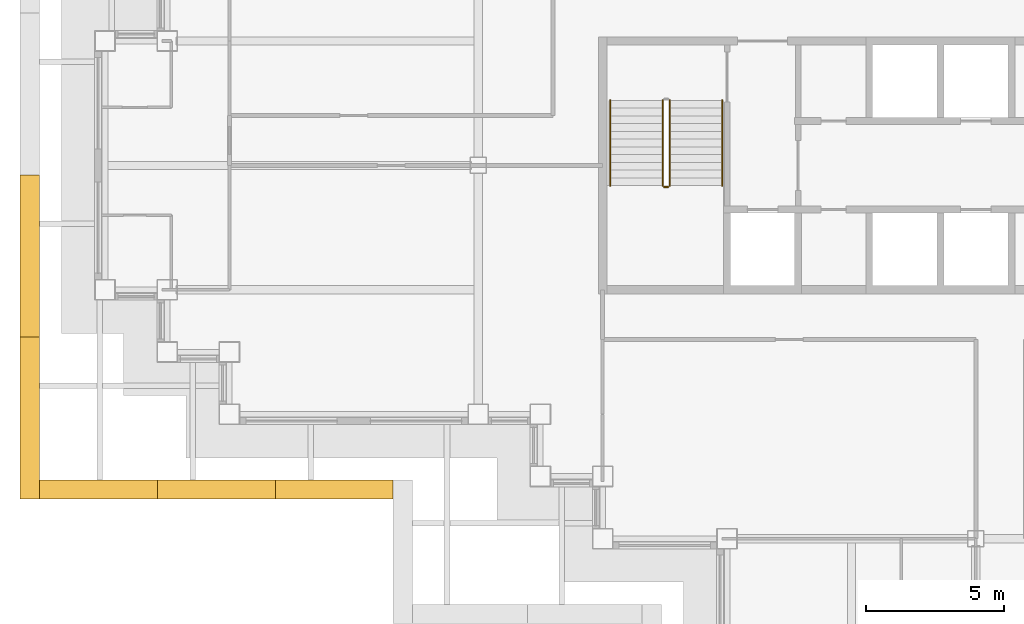
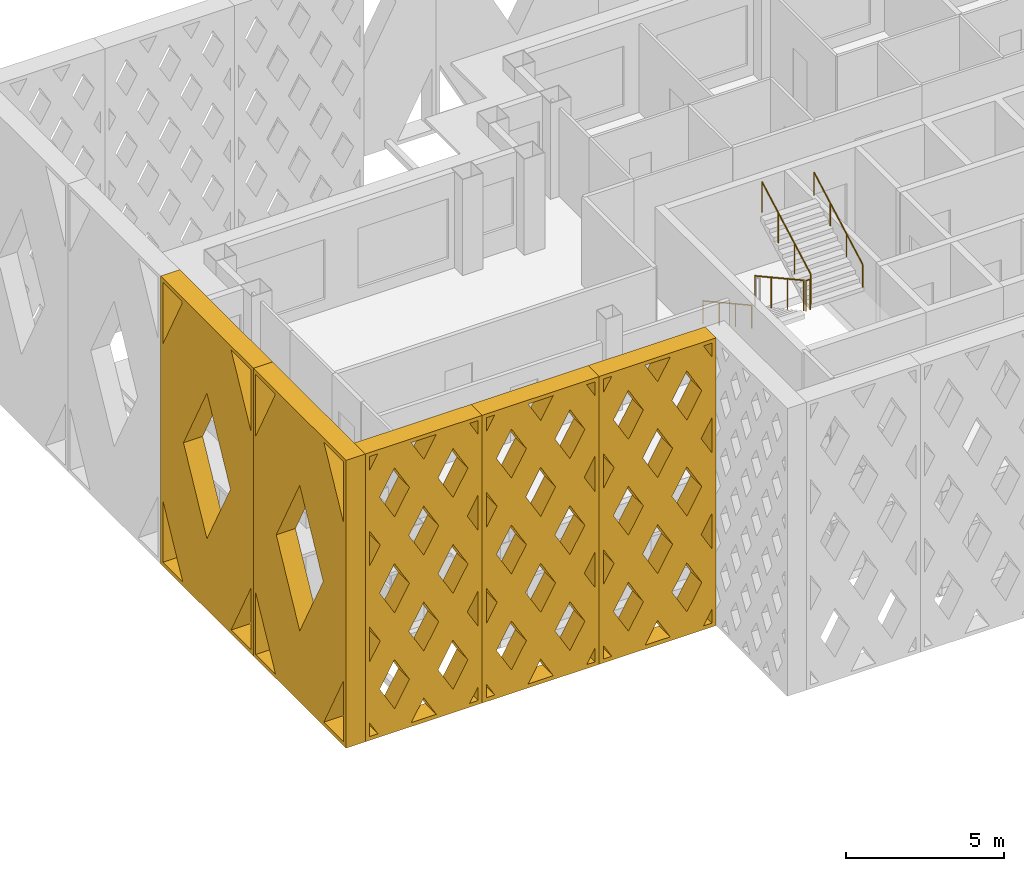
# One storey, part 14 of 18: 5 railings, 5 shading devices.
"""IFC4 building model written with IfcOpenShell, lengths in metres."""

from ifc_helpers import new_model, si_unit, direction, frame, origin, origin_2d, place, context, subcontext, project, spatial, polyline, circle, outline, extrude, material, type_object, element, save


model = new_model("IFC4")

# Units and contexts
model_context = context("Model", 3, precision=1e-05, world=origin(), true_north=direction((0.0, 1.0)))
body_context = subcontext(model_context, "Body", "Model", "MODEL_VIEW")
ifc_project = project(units=[si_unit("LENGTHUNIT", "METRE"), si_unit("AREAUNIT", "SQUARE_METRE"), si_unit("VOLUMEUNIT", "CUBIC_METRE"), si_unit("PLANEANGLEUNIT", "RADIAN"), si_unit("MASSUNIT", "GRAM", prefix="KILO")], contexts=[model_context])

# Site, building, storey
site_placement = place(None, origin())
site = spatial("IfcSite", under=ifc_project, at=site_placement, CompositionType="ELEMENT")
building_placement = place(site_placement, origin())
building = spatial("IfcBuilding", under=site, at=building_placement, Name="Caravel Reach Hotel and Residences", CompositionType="ELEMENT")
storey_placement = place(building_placement, frame((0.0, 0.0, 176.5)))
storey = spatial("IfcBuildingStorey", under=building, at=storey_placement, Name="L44", CompositionType="ELEMENT", Elevation=176.5)

# Shading devices
ifc_material_1 = material(Name="Black powder-coated aluminium", Category="aluminium")
shading_device_type_1 = type_object("IfcShadingDeviceType", Name="Diamond lattice screen panel 4267 x 11100", PredefinedType="USERDEFINED", material=ifc_material_1)
shading_device_1_placement = place(storey_placement, frame((-2.375, 15.625, 0.0), z_axis=(0.0, -1.0, 0.0), x_axis=(1.0, 0.0, 0.0)))
element("IfcShadingDevice", 1, at=shading_device_1_placement, inside=storey, type_object=shading_device_type_1, Name="Lattice screen L44-L46 14.1", ObjectType="SCREEN", PredefinedType="USERDEFINED", context=body_context, shape_type="SweptSolid", body=[
    extrude(outline(polyline([(0.0, 0.0), (4.2666015625, 0.0), (4.2666015625, 11.10009765625), (0.0, 11.10009765625), (0.0, 0.0)]), holes=[polyline([(0.45947265625, 0.14990234375), (0.14990234375, 0.6865234375), (0.14990234375, 0.14990234375), (0.45947265625, 0.14990234375)]), polyline([(0.5458984375, 3.699951171875), (0.14990234375, 4.386474609375), (0.14990234375, 3.013427734375), (0.5458984375, 3.699951171875)]), polyline([(0.5458984375, 7.39990234375), (0.14990234375, 8.086669921875), (0.14990234375, 6.71337890625), (0.5458984375, 7.39990234375)]), polyline([(0.14990234375, 10.413330078125), (0.45947265625, 10.949951171875), (0.14990234375, 10.949951171875), (0.14990234375, 10.413330078125)]), polyline([(1.066650390625, 2.796630859375), (0.520751953125, 1.85009765625), (1.066650390625, 0.9033203125), (1.612548828125, 1.85009765625), (1.066650390625, 2.796630859375)]), polyline([(1.066650390625, 6.496826171875), (0.520751953125, 5.550048828125), (1.066650390625, 4.603271484375), (1.612548828125, 5.550048828125), (1.066650390625, 6.496826171875)]), polyline([(1.066650390625, 10.19677734375), (0.520751953125, 9.25), (1.066650390625, 8.30322265625), (1.612548828125, 9.25), (1.066650390625, 10.19677734375)]), polyline([(2.13330078125, 0.94677734375), (1.674072265625, 0.14990234375), (2.5927734375, 0.14990234375), (2.13330078125, 0.94677734375)]), polyline([(2.13330078125, 4.646728515625), (1.58740234375, 3.699951171875), (2.13330078125, 2.753173828125), (2.67919921875, 3.699951171875), (2.13330078125, 4.646728515625)]), polyline([(2.13330078125, 8.3466796875), (1.58740234375, 7.39990234375), (2.13330078125, 6.453369140625), (2.67919921875, 7.39990234375), (2.13330078125, 8.3466796875)]), polyline([(2.13330078125, 10.1533203125), (2.5927734375, 10.949951171875), (1.674072265625, 10.949951171875), (2.13330078125, 10.1533203125)]), polyline([(3.199951171875, 2.796630859375), (2.654052734375, 1.85009765625), (3.199951171875, 0.9033203125), (3.745849609375, 1.85009765625), (3.199951171875, 2.796630859375)]), polyline([(3.199951171875, 6.496826171875), (2.654052734375, 5.550048828125), (3.199951171875, 4.603271484375), (3.745849609375, 5.550048828125), (3.199951171875, 6.496826171875)]), polyline([(3.199951171875, 10.19677734375), (2.654052734375, 9.25), (3.199951171875, 8.30322265625), (3.745849609375, 9.25), (3.199951171875, 10.19677734375)]), polyline([(4.11669921875, 0.6865234375), (3.807373046875, 0.14990234375), (4.11669921875, 0.14990234375), (4.11669921875, 0.6865234375)]), polyline([(3.720703125, 3.699951171875), (4.11669921875, 3.013427734375), (4.11669921875, 4.386474609375), (3.720703125, 3.699951171875)]), polyline([(3.720703125, 7.39990234375), (4.11669921875, 6.71337890625), (4.11669921875, 8.086669921875), (3.720703125, 7.39990234375)]), polyline([(3.807373046875, 10.949951171875), (4.11669921875, 10.413330078125), (4.11669921875, 10.949951171875), (3.807373046875, 10.949951171875)])]), origin(), (0.0, 0.0, 1.0), 0.699951171875),
])
shading_device_2_placement = place(storey_placement, frame((1.8916015625, 15.625, 0.0), z_axis=(0.0, -1.0, 0.0), x_axis=(1.0, 0.0, 0.0)))
element("IfcShadingDevice", 2, at=shading_device_2_placement, inside=storey, type_object=shading_device_type_1, Name="Lattice screen L44-L46 14.2", ObjectType="SCREEN", PredefinedType="USERDEFINED", context=body_context, shape_type="SweptSolid", body=[
    extrude(outline(polyline([(0.0, 0.0), (4.2666015625, 0.0), (4.2666015625, 11.10009765625), (0.0, 11.10009765625), (0.0, 0.0)]), holes=[polyline([(0.45947265625, 0.14990234375), (0.14990234375, 0.6865234375), (0.14990234375, 0.14990234375), (0.45947265625, 0.14990234375)]), polyline([(0.5458984375, 3.699951171875), (0.14990234375, 4.386474609375), (0.14990234375, 3.013427734375), (0.5458984375, 3.699951171875)]), polyline([(0.5458984375, 7.39990234375), (0.14990234375, 8.086669921875), (0.14990234375, 6.71337890625), (0.5458984375, 7.39990234375)]), polyline([(0.14990234375, 10.413330078125), (0.45947265625, 10.949951171875), (0.14990234375, 10.949951171875), (0.14990234375, 10.413330078125)]), polyline([(1.066650390625, 2.796630859375), (0.520751953125, 1.85009765625), (1.066650390625, 0.9033203125), (1.612548828125, 1.85009765625), (1.066650390625, 2.796630859375)]), polyline([(1.066650390625, 6.496826171875), (0.520751953125, 5.550048828125), (1.066650390625, 4.603271484375), (1.612548828125, 5.550048828125), (1.066650390625, 6.496826171875)]), polyline([(1.066650390625, 10.19677734375), (0.520751953125, 9.25), (1.066650390625, 8.30322265625), (1.612548828125, 9.25), (1.066650390625, 10.19677734375)]), polyline([(2.13330078125, 0.94677734375), (1.674072265625, 0.14990234375), (2.5927734375, 0.14990234375), (2.13330078125, 0.94677734375)]), polyline([(2.13330078125, 4.646728515625), (1.58740234375, 3.699951171875), (2.13330078125, 2.753173828125), (2.67919921875, 3.699951171875), (2.13330078125, 4.646728515625)]), polyline([(2.13330078125, 8.3466796875), (1.58740234375, 7.39990234375), (2.13330078125, 6.453369140625), (2.67919921875, 7.39990234375), (2.13330078125, 8.3466796875)]), polyline([(2.13330078125, 10.1533203125), (2.5927734375, 10.949951171875), (1.674072265625, 10.949951171875), (2.13330078125, 10.1533203125)]), polyline([(3.199951171875, 2.796630859375), (2.654052734375, 1.85009765625), (3.199951171875, 0.9033203125), (3.745849609375, 1.85009765625), (3.199951171875, 2.796630859375)]), polyline([(3.199951171875, 6.496826171875), (2.654052734375, 5.550048828125), (3.199951171875, 4.603271484375), (3.745849609375, 5.550048828125), (3.199951171875, 6.496826171875)]), polyline([(3.199951171875, 10.19677734375), (2.654052734375, 9.25), (3.199951171875, 8.30322265625), (3.745849609375, 9.25), (3.199951171875, 10.19677734375)]), polyline([(4.11669921875, 0.6865234375), (3.807373046875, 0.14990234375), (4.11669921875, 0.14990234375), (4.11669921875, 0.6865234375)]), polyline([(3.720703125, 3.699951171875), (4.11669921875, 3.013427734375), (4.11669921875, 4.386474609375), (3.720703125, 3.699951171875)]), polyline([(3.720703125, 7.39990234375), (4.11669921875, 6.71337890625), (4.11669921875, 8.086669921875), (3.720703125, 7.39990234375)]), polyline([(3.807373046875, 10.949951171875), (4.11669921875, 10.413330078125), (4.11669921875, 10.949951171875), (3.807373046875, 10.949951171875)])]), origin(), (0.0, 0.0, 1.0), 0.699951171875),
])
shading_device_3_placement = place(storey_placement, frame((6.158447265625, 15.625, 0.0), z_axis=(0.0, -1.0, 0.0), x_axis=(1.0, 0.0, 0.0)))
element("IfcShadingDevice", 3, at=shading_device_3_placement, inside=storey, type_object=shading_device_type_1, Name="Lattice screen L44-L46 14.3", ObjectType="SCREEN", PredefinedType="USERDEFINED", context=body_context, shape_type="SweptSolid", body=[
    extrude(outline(polyline([(0.0, 0.0), (4.2666015625, 0.0), (4.2666015625, 11.10009765625), (0.0, 11.10009765625), (0.0, 0.0)]), holes=[polyline([(0.45947265625, 0.14990234375), (0.14990234375, 0.6865234375), (0.14990234375, 0.14990234375), (0.45947265625, 0.14990234375)]), polyline([(0.5458984375, 3.699951171875), (0.14990234375, 4.386474609375), (0.14990234375, 3.013427734375), (0.5458984375, 3.699951171875)]), polyline([(0.5458984375, 7.39990234375), (0.14990234375, 8.086669921875), (0.14990234375, 6.71337890625), (0.5458984375, 7.39990234375)]), polyline([(0.14990234375, 10.413330078125), (0.45947265625, 10.949951171875), (0.14990234375, 10.949951171875), (0.14990234375, 10.413330078125)]), polyline([(1.066650390625, 2.796630859375), (0.520751953125, 1.85009765625), (1.066650390625, 0.9033203125), (1.612548828125, 1.85009765625), (1.066650390625, 2.796630859375)]), polyline([(1.066650390625, 6.496826171875), (0.520751953125, 5.550048828125), (1.066650390625, 4.603271484375), (1.612548828125, 5.550048828125), (1.066650390625, 6.496826171875)]), polyline([(1.066650390625, 10.19677734375), (0.520751953125, 9.25), (1.066650390625, 8.30322265625), (1.612548828125, 9.25), (1.066650390625, 10.19677734375)]), polyline([(2.13330078125, 0.94677734375), (1.674072265625, 0.14990234375), (2.5927734375, 0.14990234375), (2.13330078125, 0.94677734375)]), polyline([(2.13330078125, 4.646728515625), (1.58740234375, 3.699951171875), (2.13330078125, 2.753173828125), (2.67919921875, 3.699951171875), (2.13330078125, 4.646728515625)]), polyline([(2.13330078125, 8.3466796875), (1.58740234375, 7.39990234375), (2.13330078125, 6.453369140625), (2.67919921875, 7.39990234375), (2.13330078125, 8.3466796875)]), polyline([(2.13330078125, 10.1533203125), (2.5927734375, 10.949951171875), (1.674072265625, 10.949951171875), (2.13330078125, 10.1533203125)]), polyline([(3.199951171875, 2.796630859375), (2.654052734375, 1.85009765625), (3.199951171875, 0.9033203125), (3.745849609375, 1.85009765625), (3.199951171875, 2.796630859375)]), polyline([(3.199951171875, 6.496826171875), (2.654052734375, 5.550048828125), (3.199951171875, 4.603271484375), (3.745849609375, 5.550048828125), (3.199951171875, 6.496826171875)]), polyline([(3.199951171875, 10.19677734375), (2.654052734375, 9.25), (3.199951171875, 8.30322265625), (3.745849609375, 9.25), (3.199951171875, 10.19677734375)]), polyline([(4.11669921875, 0.6865234375), (3.807373046875, 0.14990234375), (4.11669921875, 0.14990234375), (4.11669921875, 0.6865234375)]), polyline([(3.720703125, 3.699951171875), (4.11669921875, 3.013427734375), (4.11669921875, 4.386474609375), (3.720703125, 3.699951171875)]), polyline([(3.720703125, 7.39990234375), (4.11669921875, 6.71337890625), (4.11669921875, 8.086669921875), (3.720703125, 7.39990234375)]), polyline([(3.807373046875, 10.949951171875), (4.11669921875, 10.413330078125), (4.11669921875, 10.949951171875), (3.807373046875, 10.949951171875)])]), origin(), (0.0, 0.0, 1.0), 0.699951171875),
])
ifc_material_2 = material(Name="Black powder-coated aluminium", Category="aluminium")
shading_device_type_2 = type_object("IfcShadingDeviceType", Name="Diamond lattice screen panel 5862 x 11100", PredefinedType="USERDEFINED", material=ifc_material_2)
for number, where, z_axis, x_axis, name in (
    (4, (-2.375, 26.64990234375, 0.0), (-1.0, 0.0, 0.0), (0.0, -1.0, 0.0), "Lattice screen L44-L46 13.3"),
    (5, (-2.375, 20.78759765625, 0.0), (-1.0, 0.0, 0.0), (0.0, -1.0, 0.0), "Lattice screen L44-L46 13.4"),
):
    element("IfcShadingDevice", number, at=place(storey_placement, frame(where, z_axis=z_axis, x_axis=x_axis)), inside=storey, type_object=shading_device_type_2, Name=name, ObjectType="SCREEN", PredefinedType="USERDEFINED", context=body_context, shape_type="SweptSolid", body=[
        extrude(outline(polyline([(0.0, 0.0), (5.862548828125, 0.0), (5.862548828125, 11.10009765625), (0.0, 11.10009765625), (0.0, 0.0)]), holes=[polyline([(1.405517578125, 0.14990234375), (0.14990234375, 2.527099609375), (0.14990234375, 0.14990234375), (1.405517578125, 0.14990234375)]), polyline([(0.14990234375, 8.572998046875), (1.405517578125, 10.949951171875), (0.14990234375, 10.949951171875), (0.14990234375, 8.572998046875)]), polyline([(2.93115234375, 8.361083984375), (1.446533203125, 5.550048828125), (2.93115234375, 2.73876953125), (4.416015625, 5.550048828125), (2.93115234375, 8.361083984375)]), polyline([(5.71240234375, 2.527099609375), (4.45703125, 0.14990234375), (5.71240234375, 0.14990234375), (5.71240234375, 2.527099609375)]), polyline([(4.45703125, 10.949951171875), (5.71240234375, 8.572998046875), (5.71240234375, 10.949951171875), (4.45703125, 10.949951171875)])]), origin(), (0.0, 0.0, 1.0), 0.699951171875),
    ])

# Railings
ifc_material_3 = material(Name="Steel balustrade with glass infill", Category="steel")
railing_type_1 = type_object("IfcRailingType", Name="Guard 1200", PredefinedType="GUARDRAIL", material=ifc_material_3)
railing_1_placement = place(storey_placement, frame((20.175048828125, 29.35009765625, 0.154052734375)))
element("IfcRailing", 6, at=railing_1_placement, inside=storey, type_object=railing_type_1, Name="L44 ST-A stair guard 1", PredefinedType="GUARDRAIL", context=body_context, shape_type="SweptSolid", body=[
    extrude(circle(Radius=0.02392578125, at=origin_2d()), frame((0.0, 0.0, 1.17578125), z_axis=(0.0, -0.875975380505, 0.482355815502), x_axis=(1.0, 0.0, 0.0)), (0.0, 0.0, 1.0), 3.51611328125),
    extrude(circle(Radius=0.02099609375, at=origin_2d()), origin(), (0.0, 0.0, 1.0), 1.15185546875),
    extrude(circle(Radius=0.02099609375, at=origin_2d()), frame((0.0, -1.026611328125, 0.5654296875)), (0.0, 0.0, 1.0), 1.15185546875),
    extrude(circle(Radius=0.02099609375, at=origin_2d()), frame((0.0, -2.053466796875, 1.130615234375)), (0.0, 0.0, 1.0), 1.15185546875),
    extrude(circle(Radius=0.02099609375, at=origin_2d()), frame((0.0, -3.080078125, 1.696044921875)), (0.0, 0.0, 1.0), 1.15185546875),
])
railing_2_placement = place(storey_placement, frame((20.22509765625, 26.219970703125, 1.85009765625)))
element("IfcRailing", 7, at=railing_2_placement, inside=storey, type_object=railing_type_1, Name="L44 ST-A stair guard 2", PredefinedType="GUARDRAIL", context=body_context, shape_type="SweptSolid", body=[
    extrude(circle(Radius=0.02392578125, at=origin_2d()), frame((0.0, 0.0, 1.17578125), z_axis=(1.0, 0.0, 0.0), x_axis=(0.0, 1.0, 0.0)), (0.0, 0.0, 1.0), 0.14990234375),
    extrude(circle(Radius=0.02099609375, at=origin_2d()), origin(), (0.0, 0.0, 1.0), 1.15185546875),
    extrude(circle(Radius=0.02099609375, at=origin_2d()), frame((0.14990234375, 0.0, 0.0)), (0.0, 0.0, 1.0), 1.15185546875),
])
railing_3_placement = place(storey_placement, frame((20.425048828125, 26.27001953125, 2.004150390625)))
element("IfcRailing", 8, at=railing_3_placement, inside=storey, type_object=railing_type_1, Name="L44 ST-A stair guard 3", PredefinedType="GUARDRAIL", context=body_context, shape_type="SweptSolid", body=[
    extrude(circle(Radius=0.02392578125, at=origin_2d()), frame((0.0, 0.0, 1.17578125), z_axis=(0.0, 0.876004717809, 0.482302534076), x_axis=(-1.0, 0.0, 0.0)), (0.0, 0.0, 1.0), 3.51611328125),
    extrude(circle(Radius=0.02099609375, at=origin_2d()), origin(), (0.0, 0.0, 1.0), 1.15185546875),
    extrude(circle(Radius=0.02099609375, at=origin_2d()), frame((0.0, 1.026611328125, 0.565185546875)), (0.0, 0.0, 1.0), 1.15185546875),
    extrude(circle(Radius=0.02099609375, at=origin_2d()), frame((0.0, 2.053466796875, 1.130615234375)), (0.0, 0.0, 1.0), 1.15185546875),
    extrude(circle(Radius=0.02099609375, at=origin_2d()), frame((0.0, 3.080078125, 1.69580078125)), (0.0, 0.0, 1.0), 1.15185546875),
])
ifc_material_4 = material(Name="Stainless steel handrail", Category="steel")
railing_type_2 = type_object("IfcRailingType", Name="Handrail 900", PredefinedType="HANDRAIL", material=ifc_material_4)
railing_4_placement = place(storey_placement, frame((18.27490234375, 29.35009765625, 0.154052734375)))
element("IfcRailing", 9, at=railing_4_placement, inside=storey, type_object=railing_type_2, Name="L44 ST-A stair handrail 1", PredefinedType="HANDRAIL", context=body_context, shape_type="SweptSolid", body=[
    extrude(circle(Radius=0.02392578125, at=origin_2d()), frame((0.0, 0.0, 0.8759765625), z_axis=(0.0, -0.875975380505, 0.482355815502), x_axis=(1.0, 0.0, 0.0)), (0.0, 0.0, 1.0), 3.51611328125),
    extrude(circle(Radius=0.02099609375, at=origin_2d()), origin(), (0.0, 0.0, 1.0), 0.851806640625),
    extrude(circle(Radius=0.02099609375, at=origin_2d()), frame((0.0, -1.026611328125, 0.5654296875)), (0.0, 0.0, 1.0), 0.851806640625),
    extrude(circle(Radius=0.02099609375, at=origin_2d()), frame((0.0, -2.053466796875, 1.130615234375)), (0.0, 0.0, 1.0), 0.851806640625),
    extrude(circle(Radius=0.02099609375, at=origin_2d()), frame((0.0, -3.080078125, 1.696044921875)), (0.0, 0.0, 1.0), 0.851806640625),
])
railing_5_placement = place(storey_placement, frame((22.324951171875, 26.27001953125, 2.004150390625)))
element("IfcRailing", 10, at=railing_5_placement, inside=storey, type_object=railing_type_2, Name="L44 ST-A stair handrail 2", PredefinedType="HANDRAIL", context=body_context, shape_type="SweptSolid", body=[
    extrude(circle(Radius=0.02392578125, at=origin_2d()), frame((0.0, 0.0, 0.8759765625), z_axis=(0.0, 0.876004717809, 0.482302534076), x_axis=(-1.0, 0.0, 0.0)), (0.0, 0.0, 1.0), 3.51611328125),
    extrude(circle(Radius=0.02099609375, at=origin_2d()), origin(), (0.0, 0.0, 1.0), 0.851806640625),
    extrude(circle(Radius=0.02099609375, at=origin_2d()), frame((0.0, 1.026611328125, 0.565185546875)), (0.0, 0.0, 1.0), 0.851806640625),
    extrude(circle(Radius=0.02099609375, at=origin_2d()), frame((0.0, 2.053466796875, 1.130615234375)), (0.0, 0.0, 1.0), 0.851806640625),
    extrude(circle(Radius=0.02099609375, at=origin_2d()), frame((0.0, 3.080078125, 1.69580078125)), (0.0, 0.0, 1.0), 0.851806640625),
])

save(model, "model.ifc")
